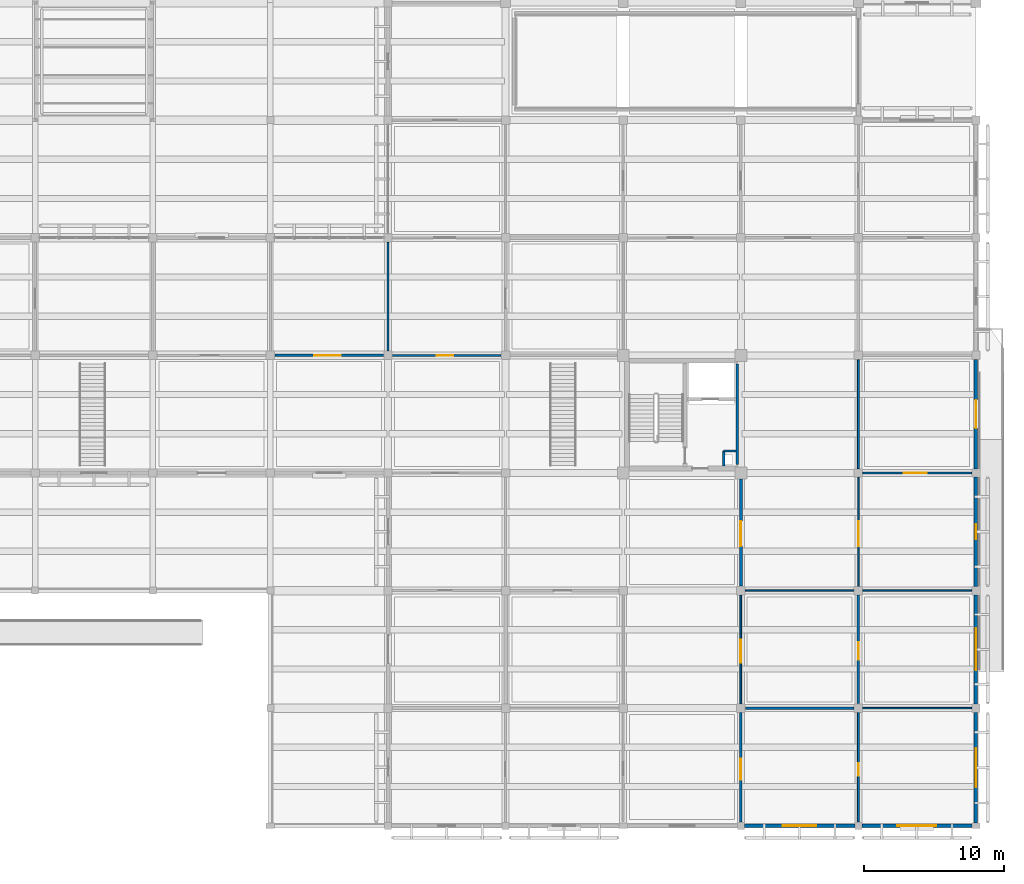
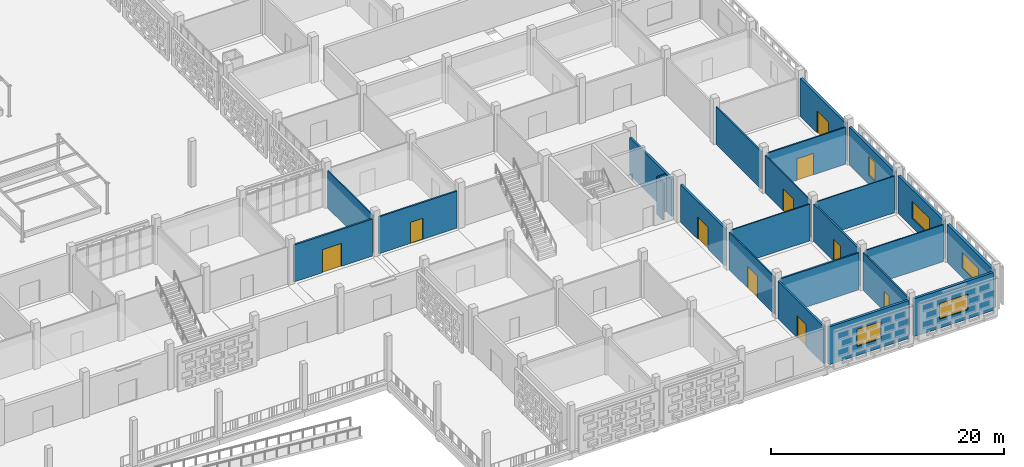
# One storey, part 69 of 129: 24 walls, 10 doors, 5 windows, 15 openings.
"""IFC4 building model written with IfcOpenShell, lengths in metres."""

import ifcopenshell
import ifcopenshell.guid

model = None  # the IFC model being written
_history = None  # IfcOwnerHistory: only IFC2X3 demands one
_inside = {}  # id of a spatial element -> (the spatial element, [elements in it])
_under = {}  # id of a project, library or spatial element -> (it, [spatial elements below it])
_declared = {}  # id of a project -> (the project, [libraries it declares])
_typed = {}  # id of a type object -> (the type object, [elements of that type])
_made_of = {}  # id of a material, layer set ... -> (it, [elements and type objects made of it])


def new_model(schema):
    """Start an empty IFC model of exactly this schema.

    Asked for "IFC4X3", IfcOpenShell would pick the latest addendum, in which some entities
    have other attributes; the version numbers below select the first issue.
    IFC2X3 requires an IfcOwnerHistory on every rooted entity: one is made here for all.
    """
    global model, _history
    if schema == "IFC4X3":
        model = ifcopenshell.file(schema_version=(4, 3, 0, 0))
    else:
        model = ifcopenshell.file(schema=schema)
    _inside.clear()
    _under.clear()
    _declared.clear()
    _typed.clear()
    _made_of.clear()
    _history = None
    if model.schema == "IFC2X3":
        org = make("IfcOrganization", Name="unknown")
        user = make(
            "IfcPersonAndOrganization",
            ThePerson=make("IfcPerson", FamilyName="unknown"),
            TheOrganization=org,
        )
        app = make(
            "IfcApplication",
            ApplicationDeveloper=org,
            Version="unknown",
            ApplicationFullName="unknown",
            ApplicationIdentifier="unknown",
        )
        _history = make(
            "IfcOwnerHistory",
            OwningUser=user,
            OwningApplication=app,
            ChangeAction="ADDED",
            CreationDate=0,
        )
    return model


def make(cls, **values):
    """One entity of the class cls with the attributes given. An attribute that is None is left unset."""
    return model.create_entity(
        cls, **{name: value for name, value in values.items() if value is not None}
    )


def rooted(cls, **values):
    """An entity with a GlobalId (a new one), such as an element, a storey or a relation."""
    return make(cls, GlobalId=ifcopenshell.guid.new(), OwnerHistory=_history, **values)


def si_unit(unit_type, name, prefix=None):
    """IfcSIUnit, for example si_unit("LENGTHUNIT", "METRE", prefix="MILLI")."""
    return make("IfcSIUnit", UnitType=unit_type, Prefix=prefix, Name=name)


def assignment(units):
    """IfcUnitAssignment: the units of a project."""
    return None if units is None else make("IfcUnitAssignment", Units=units)


def point(xyz):
    """IfcCartesianPoint."""
    return None if xyz is None else make("IfcCartesianPoint", Coordinates=xyz)


def direction(xyz):
    """IfcDirection."""
    return None if xyz is None else make("IfcDirection", DirectionRatios=xyz)


def frame(location, z_axis=None, x_axis=None):
    """IfcAxis2Placement3D, a coordinate frame: its origin and axes. An axis left out is left unset."""
    return make(
        "IfcAxis2Placement3D",
        Location=point(location),
        Axis=direction(z_axis),
        RefDirection=direction(x_axis),
    )


def frame_2d(location, x_axis=None):
    """IfcAxis2Placement2D, a coordinate frame in the plane: its origin and x axis."""
    return make(
        "IfcAxis2Placement2D", Location=point(location), RefDirection=direction(x_axis)
    )


def origin():
    """The frame at (0, 0, 0) with its axes left unset."""
    return frame((0.0, 0.0, 0.0))


def place(relative_to, where):
    """IfcLocalPlacement: puts the frame where relative to a parent placement (None: the world)."""
    return make(
        "IfcLocalPlacement", PlacementRelTo=relative_to, RelativePlacement=where
    )


def context(
    kind, dimensions, precision=None, world=None, true_north=None, identifier=None
):
    """IfcGeometricRepresentationContext, for example the 3D "Model" context."""
    return make(
        "IfcGeometricRepresentationContext",
        ContextIdentifier=identifier,
        ContextType=kind,
        CoordinateSpaceDimension=dimensions,
        Precision=precision,
        WorldCoordinateSystem=world,
        TrueNorth=true_north,
    )


def subcontext(parent, identifier, kind, view, scale=None):
    """IfcGeometricRepresentationSubContext, for example "Body" below "Model"."""
    return make(
        "IfcGeometricRepresentationSubContext",
        ContextIdentifier=identifier,
        ContextType=kind,
        ParentContext=parent,
        TargetScale=scale,
        TargetView=view,
    )


def project(units=None, contexts=None):
    """IfcProject with its units and contexts."""
    return rooted(
        "IfcProject",
        Name="project",
        RepresentationContexts=contexts,
        UnitsInContext=assignment(units),
    )


def spatial(cls, under=None, at=None, **own):
    """A site, building, storey or space (cls), placed at a placement, below another one or the project."""
    s = rooted(cls, ObjectPlacement=at, **own)
    if under is not None:
        _under.setdefault(under.id(), (under, []))[1].append(s)
    return s


def profile(cls, at=None, kind="AREA", **sizes):
    """A parametric profile (cls). Its sizes go by their IFC names, for example OverallWidth=200.0."""
    return make(cls, ProfileType=kind, Position=at, **sizes)


def rectangle(**sizes):
    """IfcRectangleProfileDef."""
    return profile("IfcRectangleProfileDef", **sizes)


def extrude(swept, where, along, depth):
    """IfcExtrudedAreaSolid: the profile swept, set in the frame where, extruded along a direction by depth."""
    return make(
        "IfcExtrudedAreaSolid",
        SweptArea=swept,
        Position=where,
        ExtrudedDirection=direction(along),
        Depth=depth,
    )


def shape(context_of_items, identifier, shape_type, items):
    """IfcShapeRepresentation: the items that make up one representation, for example the "Body"."""
    return make(
        "IfcShapeRepresentation",
        ContextOfItems=context_of_items,
        RepresentationIdentifier=identifier,
        RepresentationType=shape_type,
        Items=items,
    )


def material(Name=None, Category=None):
    """IfcMaterial."""
    return make("IfcMaterial", Name=Name, Category=Category)


def layer(
    of_material, thickness, ventilated=None, Name=None, Category=None, Priority=None
):
    """IfcMaterialLayer: one layer of a wall or slab, of a material (None: an air gap)."""
    return make(
        "IfcMaterialLayer",
        Material=of_material,
        LayerThickness=thickness,
        IsVentilated=ventilated,
        Name=Name,
        Category=Category,
        Priority=Priority,
    )


def layer_set(layers, Name=None):
    """IfcMaterialLayerSet."""
    return make("IfcMaterialLayerSet", MaterialLayers=layers, LayerSetName=Name)


def made_of(thing, what):
    """Note that an element or type object is made of a material, layer set ...; save() writes the relation."""
    if what is not None:
        _made_of.setdefault(what.id(), (what, []))[1].append(thing)
    return thing


def type_object(cls, material=None, **own):
    """A type object (cls), such as IfcWallType, which elements share."""
    return made_of(rooted(cls, **own), material)


def element(
    cls,
    number,
    at=None,
    inside=None,
    cuts=None,
    type_object=None,
    material=None,
    context=None,
    identifier="Body",
    shape_type=None,
    held_by="IfcProductDefinitionShape",
    body=None,
    shapes=None,
    **own,
):
    """One element of the class cls, such as IfcWall. Its Tag is "e" and its number.

    at: its placement. inside: the storey or other place that contains it. cuts: it is an
    opening in that element (IfcRelVoidsElement). A single representation is given by context,
    identifier, shape_type and body (its items); several are given by shapes. held_by: the class
    of the entity that holds the representations. save() writes the other relations.
    """
    e = rooted(cls, Tag="e%d" % number, ObjectPlacement=at, **own)
    if body is not None:
        shapes = [shape(context, identifier, shape_type, body)]
    if shapes is not None:
        e.Representation = make(held_by, Representations=shapes)
    if inside is not None:
        _inside.setdefault(inside.id(), (inside, []))[1].append(e)
    if cuts is not None:
        rooted(
            "IfcRelVoidsElement", RelatingBuildingElement=cuts, RelatedOpeningElement=e
        )
    if type_object is not None:
        _typed.setdefault(type_object.id(), (type_object, []))[1].append(e)
    return made_of(e, material)


def fill(opening, filler):
    """IfcRelFillsElement: the door or window that sits in an opening."""
    return rooted(
        "IfcRelFillsElement",
        RelatingOpeningElement=opening,
        RelatedBuildingElement=filler,
    )


def aggregate(whole, parts):
    """IfcRelAggregates: a whole, such as a stair, and the parts it consists of."""
    return rooted("IfcRelAggregates", RelatingObject=whole, RelatedObjects=parts)


def save(model, path):
    """Write the relations noted so far, then the file.

    IfcRelAggregates (storeys below a building ...), IfcRelContainedInSpatialStructure (elements
    in a storey), IfcRelDefinesByType, IfcRelAssociatesMaterial and IfcRelDeclares: one each for
    every whole, place, type object, material and project.
    """
    for whole, parts in _under.values():
        aggregate(whole, parts)
    for where, things in _inside.values():
        rooted(
            "IfcRelContainedInSpatialStructure",
            RelatedElements=things,
            RelatingStructure=where,
        )
    for kind, things in _typed.values():
        rooted("IfcRelDefinesByType", RelatedObjects=things, RelatingType=kind)
    for what, things in _made_of.values():
        rooted("IfcRelAssociatesMaterial", RelatedObjects=things, RelatingMaterial=what)
    for by, libraries in _declared.values():
        rooted("IfcRelDeclares", RelatingContext=by, RelatedDefinitions=libraries)
    model.write(path)


model = new_model("IFC4")

# Units and contexts
model_context = context("Model", 3, precision=1e-05, world=origin(), true_north=direction((0.0, 1.0)))
body_context = subcontext(model_context, "Body", "Model", "MODEL_VIEW")
ifc_project = project(units=[si_unit("LENGTHUNIT", "METRE"), si_unit("AREAUNIT", "SQUARE_METRE"), si_unit("VOLUMEUNIT", "CUBIC_METRE"), si_unit("PLANEANGLEUNIT", "RADIAN"), si_unit("MASSUNIT", "GRAM", prefix="KILO")], contexts=[model_context])

# Site, building, storey
site_placement = place(None, origin())
site = spatial("IfcSite", under=ifc_project, at=site_placement, CompositionType="ELEMENT")
building_placement = place(site_placement, origin())
building = spatial("IfcBuilding", under=site, at=building_placement, Name="Varnapada Polytechnic", CompositionType="ELEMENT")
storey_placement = place(building_placement, origin())
storey = spatial("IfcBuildingStorey", under=building, at=storey_placement, Name="L00", CompositionType="ELEMENT", Elevation=0.0)

# Walls
ifc_material_1 = material(Name="Autoclaved Aerated Concrete Block AAC-600", Category="concrete")
ifc_layer_1 = layer(ifc_material_1, 0.199951171875)
ifc_layer_set_1 = layer_set([ifc_layer_1], Name="Autoclaved Aerated Concrete Block AAC-600")
wall_type_1 = type_object("IfcWallType", Name="Interior Wall IW-01", PredefinedType="PARTITIONING", material=ifc_layer_set_1)
wall_1_placement = place(storey_placement, frame((159.340087890625, 33.0, 0.0), z_axis=(0.0, 0.0, 1.0), x_axis=(0.0, -1.0, 0.0)))
element("IfcWall", 1, at=wall_1_placement, inside=storey, type_object=wall_type_1, Name="L00 C6 firefighting lobby east wall", PredefinedType="PARTITIONING", context=body_context, shape_type="SweptSolid", body=[
    extrude(rectangle(XDim=7.199951171875, YDim=0.199951171875, at=frame_2d((3.60009765625, 0.0))), origin(), (0.0, 0.0, 1.0), 3.919921875),
])
ifc_layer_2 = layer(ifc_material_1, 0.14990234375)
ifc_layer_set_2 = layer_set([ifc_layer_2], Name="Autoclaved Aerated Concrete Block AAC-600")
wall_type_2 = type_object("IfcWallType", Name="Interior Wall IW-02", PredefinedType="PARTITIONING", material=ifc_layer_set_2)
wall_2_placement = place(storey_placement, frame((158.3798828125, 26.760009765625, 0.0), z_axis=(0.0, 0.0, 1.0), x_axis=(0.0, -1.0, 0.0)))
element("IfcWall", 2, at=wall_2_placement, inside=storey, type_object=wall_type_2, Name="L00 C6 riser shaft west wall", PredefinedType="PARTITIONING", context=body_context, shape_type="SweptSolid", body=[
    extrude(rectangle(XDim=1.06005859375, YDim=0.14990234375, at=frame_2d((0.530029296875, 0.0))), origin(), (0.0, 0.0, 1.0), 3.919921875),
])
wall_3_placement = place(storey_placement, frame((158.3798828125, 26.760009765625, 0.0), z_axis=(0.0, 0.0, 1.0), x_axis=(1.0, 0.0, 0.0)))
element("IfcWall", 3, at=wall_3_placement, inside=storey, type_object=wall_type_2, Name="L00 C6 riser shaft north wall", PredefinedType="PARTITIONING", context=body_context, shape_type="SweptSolid", body=[
    extrude(rectangle(XDim=0.860107421875, YDim=0.14990234375, at=frame_2d((0.43017578125, 0.0))), origin(), (0.0, 0.0, 1.0), 3.919921875),
])

# Wall, opening, door
ifc_material_2 = material(Name="Moisture-Resistant Cement Board Partition")
ifc_layer_3 = layer(ifc_material_2, 0.139892578125)
ifc_layer_set_3 = layer_set([ifc_layer_3], Name="Moisture-Resistant Cement Board Partition")
wall_type_3 = type_object("IfcWallType", Name="Interior Wall IW-04", PredefinedType="PARTITIONING", material=ifc_layer_set_3)
wall_4_placement = place(storey_placement, frame((168.0, 0.27001953125, 0.0), z_axis=(0.0, 0.0, 1.0), x_axis=(0.0, 1.0, 0.0)))
wall_4 = element("IfcWall", 4, at=wall_4_placement, inside=storey, type_object=wall_type_3, Name="L00 interior partition IW-L00-19-00-V", PredefinedType="PARTITIONING", context=body_context, shape_type="SweptSolid", body=[
    extrude(rectangle(XDim=7.81005859375, YDim=0.139892578125, at=frame_2d((3.905029296875, 0.0))), origin(), (0.0, 0.0, 1.0), 3.919921875),
])
opening_1_placement = place(wall_4_placement, frame((3.300048828125, 0.0, 0.0)))
opening_1 = element("IfcOpeningElement", 5, at=opening_1_placement, cuts=wall_4, Name="Opening D-931", PredefinedType="OPENING", context=body_context, shape_type="SweptSolid", body=[
    extrude(rectangle(XDim=0.89990234375, YDim=2.10009765625, at=frame_2d((0.449951171875, 1.050048828125))), frame((0.0, 0.079833984375, 0.0), z_axis=(0.0, -1.0, 0.0), x_axis=(1.0, 0.0, 0.0)), (0.0, 0.0, 1.0), 0.159912109375),
])
ifc_material_3 = material(Name="Moisture-Resistant HPL Timber", Category="wood")
door_type_1 = type_object("IfcDoorType", Name="Interior Door ID-15", OperationType="NOTDEFINED", PredefinedType="DOOR", material=ifc_material_3)
door_1_placement = place(opening_1_placement, origin())
door_1 = element("IfcDoor", 6, at=door_1_placement, inside=storey, type_object=door_type_1, Name="L00 interior room door D-931", OperationType="SINGLE_SWING_RIGHT", OverallHeight=2.10009765625, OverallWidth=0.89990234375, PredefinedType="DOOR", context=body_context, shape_type="SweptSolid", body=[
    extrude(rectangle(XDim=0.89990234375, YDim=2.10009765625, at=frame_2d((0.449951171875, 1.050048828125))), frame((0.0, 0.02490234375, 0.0), z_axis=(0.0, -1.0, 0.0), x_axis=(1.0, 0.0, 0.0)), (0.0, 0.0, 1.0), 0.050048828125),
])
fill(opening_1, door_1)

ifc_material_4 = material(Name="Cross-laminated timber CLT C24", Category="wood")
ifc_layer_4 = layer(ifc_material_4, 0.159912109375)
ifc_layer_set_4 = layer_set([ifc_layer_4], Name="Cross-laminated timber CLT C24")
wall_type_4 = type_object("IfcWallType", Name="Interior Wall IW-05", PredefinedType="PARTITIONING", material=ifc_layer_set_4)
wall_5_placement = place(storey_placement, frame((134.719970703125, 33.60009765625, 0.0), z_axis=(0.0, 0.0, 1.0), x_axis=(1.0, 0.0, 0.0)))
wall_5 = element("IfcWall", 7, at=wall_5_placement, inside=storey, type_object=wall_type_4, Name="L00 interior partition IW-L00-16-03-H", PredefinedType="PARTITIONING", context=body_context, shape_type="SweptSolid", body=[
    extrude(rectangle(XDim=7.760009765625, YDim=0.159912109375, at=frame_2d((3.8798828125, 0.0))), origin(), (0.0, 0.0, 1.0), 3.8701171875),
])
opening_2_placement = place(wall_5_placement, frame((3.14990234375, 0.0, 0.0)))
opening_2 = element("IfcOpeningElement", 8, at=opening_2_placement, cuts=wall_5, Name="Opening D-904", PredefinedType="OPENING", context=body_context, shape_type="SweptSolid", body=[
    extrude(rectangle(XDim=1.199951171875, YDim=2.199951171875, at=frame_2d((0.60009765625, 1.10009765625))), frame((0.0, 0.08984375, 0.0), z_axis=(0.0, -1.0, 0.0), x_axis=(1.0, 0.0, 0.0)), (0.0, 0.0, 1.0), 0.179931640625),
])
ifc_material_5 = material(Name="Solid Teak Hardwood Timber", Category="wood")
door_type_2 = type_object("IfcDoorType", Name="Interior Door ID-05", OperationType="NOTDEFINED", PredefinedType="DOOR", material=ifc_material_5)
door_2_placement = place(opening_2_placement, origin())
door_2 = element("IfcDoor", 9, at=door_2_placement, inside=storey, type_object=door_type_2, Name="L00 interior room door D-904", OperationType="SINGLE_SWING_LEFT", OverallHeight=2.199951171875, OverallWidth=1.199951171875, PredefinedType="DOOR", context=body_context, shape_type="SweptSolid", body=[
    extrude(rectangle(XDim=1.199951171875, YDim=2.199951171875, at=frame_2d((0.60009765625, 1.10009765625))), frame((0.0, 0.02490234375, 0.0), z_axis=(0.0, -1.0, 0.0), x_axis=(1.0, 0.0, 0.0)), (0.0, 0.0, 1.0), 0.050048828125),
])
fill(opening_2, door_2)

# Wall
wall_6_placement = place(storey_placement, frame((159.919921875, 8.39990234375, 0.0), z_axis=(0.0, 0.0, 1.0), x_axis=(1.0, 0.0, 0.0)))
element("IfcWall", 10, at=wall_6_placement, inside=storey, type_object=wall_type_4, Name="L00 interior partition IW-L00-19-00-H", PredefinedType="PARTITIONING", context=body_context, shape_type="SweptSolid", body=[
    extrude(rectangle(XDim=7.760009765625, YDim=0.159912109375, at=frame_2d((3.8798828125, 0.0))), origin(), (0.0, 0.0, 1.0), 3.85009765625),
])

# Wall, opening, door
ifc_material_6 = material(Name="Acoustic Double-Stud Studio Partition")
ifc_layer_5 = layer(ifc_material_6, 0.179931640625)
ifc_layer_set_5 = layer_set([ifc_layer_5], Name="Acoustic Double-Stud Studio Partition")
wall_type_5 = type_object("IfcWallType", Name="Interior Wall IW-06", PredefinedType="PARTITIONING", material=ifc_layer_set_5)
wall_7_placement = place(storey_placement, frame((126.320068359375, 33.60009765625, 0.0), z_axis=(0.0, 0.0, 1.0), x_axis=(1.0, 0.0, 0.0)))
wall_7 = element("IfcWall", 11, at=wall_7_placement, inside=storey, type_object=wall_type_5, Name="L00 interior partition IW-L00-15-03-H", PredefinedType="PARTITIONING", context=body_context, shape_type="SweptSolid", body=[
    extrude(rectangle(XDim=7.760009765625, YDim=0.179931640625, at=frame_2d((3.8798828125, 0.0))), origin(), (0.0, 0.0, 1.0), 3.8701171875),
])
opening_3_placement = place(wall_7_placement, frame((2.800048828125, 0.0, 0.0)))
opening_3 = element("IfcOpeningElement", 12, at=opening_3_placement, cuts=wall_7, Name="Opening D-896", PredefinedType="OPENING", context=body_context, shape_type="SweptSolid", body=[
    extrude(rectangle(XDim=1.89990234375, YDim=2.39990234375, at=frame_2d((0.949951171875, 1.199951171875))), frame((0.0, 0.099853515625, 0.0), z_axis=(0.0, -1.0, 0.0), x_axis=(1.0, 0.0, 0.0)), (0.0, 0.0, 1.0), 0.199951171875),
])
ifc_material_7 = material(Name="Heavy Workshop Double Steel Door", Category="steel")
door_type_3 = type_object("IfcDoorType", Name="Interior Door ID-14", OperationType="NOTDEFINED", PredefinedType="DOOR", material=ifc_material_7)
door_3_placement = place(opening_3_placement, frame((1.89990234375, 0.0, 0.0), z_axis=(0.0, 0.0, 1.0), x_axis=(-1.0, 0.0, 0.0)))
door_3 = element("IfcDoor", 13, at=door_3_placement, inside=storey, type_object=door_type_3, Name="L00 interior room door D-896", OperationType="SINGLE_SWING_LEFT", OverallHeight=2.39990234375, OverallWidth=1.89990234375, PredefinedType="DOOR", context=body_context, shape_type="SweptSolid", body=[
    extrude(rectangle(XDim=1.89990234375, YDim=2.39990234375, at=frame_2d((0.949951171875, 1.199951171875))), frame((0.0, 0.02490234375, 0.0), z_axis=(0.0, -1.0, 0.0), x_axis=(1.0, 0.0, 0.0)), (0.0, 0.0, 1.0), 0.050048828125),
])
fill(opening_3, door_3)

wall_8_placement = place(storey_placement, frame((168.0, 8.719970703125, 0.0), z_axis=(0.0, 0.0, 1.0), x_axis=(0.0, 1.0, 0.0)))
wall_8 = element("IfcWall", 14, at=wall_8_placement, inside=storey, type_object=wall_type_5, Name="L00 interior partition IW-L00-19-01-V", PredefinedType="PARTITIONING", context=body_context, shape_type="SweptSolid", body=[
    extrude(rectangle(XDim=7.760009765625, YDim=0.179931640625, at=frame_2d((3.8798828125, 0.0))), origin(), (0.0, 0.0, 1.0), 3.919921875),
])
opening_4_placement = place(wall_8_placement, frame((3.125, 0.0, 0.0)))
opening_4 = element("IfcOpeningElement", 15, at=opening_4_placement, cuts=wall_8, Name="Opening D-932", PredefinedType="OPENING", context=body_context, shape_type="SweptSolid", body=[
    extrude(rectangle(XDim=1.25, YDim=2.300048828125, at=frame_2d((0.625, 1.14990234375))), frame((0.0, 0.099853515625, 0.0), z_axis=(0.0, -1.0, 0.0), x_axis=(1.0, 0.0, 0.0)), (0.0, 0.0, 1.0), 0.199951171875),
])
door_type_4 = type_object("IfcDoorType", Name="Interior Door ID-16", OperationType="NOTDEFINED", PredefinedType="DOOR", material=ifc_material_5)
door_4_placement = place(opening_4_placement, frame((1.25, 0.0, 0.0), z_axis=(0.0, 0.0, 1.0), x_axis=(-1.0, 0.0, 0.0)))
door_4 = element("IfcDoor", 16, at=door_4_placement, inside=storey, type_object=door_type_4, Name="L00 interior room door D-932", OperationType="SINGLE_SWING_LEFT", OverallHeight=2.300048828125, OverallWidth=1.25, PredefinedType="DOOR", context=body_context, shape_type="SweptSolid", body=[
    extrude(rectangle(XDim=1.25, YDim=2.300048828125, at=frame_2d((0.625, 1.14990234375))), frame((0.0, 0.02490234375, 0.0), z_axis=(0.0, -1.0, 0.0), x_axis=(1.0, 0.0, 0.0)), (0.0, 0.0, 1.0), 0.050048828125),
])
fill(opening_4, door_4)

# Walls
ifc_material_8 = material(Name="Glazed Timber-Framed Studio Screen", Category="wood")
ifc_layer_6 = layer(ifc_material_8, 0.110107421875)
ifc_layer_set_6 = layer_set([ifc_layer_6], Name="Glazed Timber-Framed Studio Screen")
wall_type_6 = type_object("IfcWallType", Name="Interior Wall IW-07", PredefinedType="PARTITIONING", material=ifc_layer_set_6)
wall_9_placement = place(storey_placement, frame((134.39990234375, 33.919921875, 0.0), z_axis=(0.0, 0.0, 1.0), x_axis=(0.0, 1.0, 0.0)))
element("IfcWall", 17, at=wall_9_placement, inside=storey, type_object=wall_type_6, Name="L00 interior partition IW-L00-15-04-V", PredefinedType="PARTITIONING", context=body_context, shape_type="SweptSolid", body=[
    extrude(rectangle(XDim=7.760009765625, YDim=0.110107421875, at=frame_2d((3.8798828125, 0.0))), origin(), (0.0, 0.0, 1.0), 3.919921875),
])
for number, where, z_axis, x_axis, name in (
    (18, (159.919921875, 16.800048828125, 0.0), (0.0, 0.0, 1.0), (1.0, 0.0, 0.0), "L00 interior partition IW-L00-19-01-H"),
    (19, (168.320068359375, 8.39990234375, 0.0), (0.0, 0.0, 1.0), (1.0, 0.0, 0.0), "L00 interior partition IW-L00-20-00-H"),
):
    element("IfcWall", number, at=place(storey_placement, frame(where, z_axis=z_axis, x_axis=x_axis)), inside=storey, type_object=wall_type_6, Name=name, PredefinedType="PARTITIONING", context=body_context, shape_type="SweptSolid", body=[
        extrude(rectangle(XDim=7.760009765625, YDim=0.110107421875, at=frame_2d((3.8798828125, 0.0))), origin(), (0.0, 0.0, 1.0), 3.85009765625),
    ])

# Wall, opening, door
ifc_material_9 = material(Name="Operable Acoustic Seminar Partition")
ifc_layer_7 = layer(ifc_material_9, 0.10009765625)
ifc_layer_set_7 = layer_set([ifc_layer_7], Name="Operable Acoustic Seminar Partition")
wall_type_7 = type_object("IfcWallType", Name="Interior Wall IW-08", PredefinedType="MOVABLE", material=ifc_layer_set_7)
wall_10_placement = place(storey_placement, frame((168.0, 17.1201171875, 0.0), z_axis=(0.0, 0.0, 1.0), x_axis=(0.0, 1.0, 0.0)))
wall_10 = element("IfcWall", 20, at=wall_10_placement, inside=storey, type_object=wall_type_7, Name="L00 interior partition IW-L00-19-02-V", PredefinedType="MOVABLE", context=body_context, shape_type="SweptSolid", body=[
    extrude(rectangle(XDim=7.759765625, YDim=0.10009765625, at=frame_2d((3.8798828125, 0.0))), origin(), (0.0, 0.0, 1.0), 3.919921875),
])
opening_5_placement = place(wall_10_placement, frame((2.85009765625, 0.0, 0.0)))
opening_5 = element("IfcOpeningElement", 21, at=opening_5_placement, cuts=wall_10, Name="Opening D-933", PredefinedType="OPENING", context=body_context, shape_type="SweptSolid", body=[
    extrude(rectangle(XDim=1.800048828125, YDim=2.300048828125, at=frame_2d((0.89990234375, 1.14990234375))), frame((0.0, 0.06005859375, 0.0), z_axis=(0.0, -1.0, 0.0), x_axis=(1.0, 0.0, 0.0)), (0.0, 0.0, 1.0), 0.1201171875),
])
ifc_material_10 = material(Name="Acoustic Double Timber Leaf", Category="wood")
door_type_5 = type_object("IfcDoorType", Name="Interior Door ID-04", OperationType="NOTDEFINED", PredefinedType="DOOR", material=ifc_material_10)
door_5_placement = place(opening_5_placement, origin())
door_5 = element("IfcDoor", 22, at=door_5_placement, inside=storey, type_object=door_type_5, Name="L00 interior room door D-933", OperationType="SINGLE_SWING_RIGHT", OverallHeight=2.300048828125, OverallWidth=1.800048828125, PredefinedType="DOOR", context=body_context, shape_type="SweptSolid", body=[
    extrude(rectangle(XDim=1.800048828125, YDim=2.300048828125, at=frame_2d((0.89990234375, 1.14990234375))), frame((0.0, 0.02490234375, 0.0), z_axis=(0.0, -1.0, 0.0), x_axis=(1.0, 0.0, 0.0)), (0.0, 0.0, 1.0), 0.050048828125),
])
fill(opening_5, door_5)

# Walls
wall_11_placement = place(storey_placement, frame((168.320068359375, 16.800048828125, 0.0), z_axis=(0.0, 0.0, 1.0), x_axis=(1.0, 0.0, 0.0)))
element("IfcWall", 23, at=wall_11_placement, inside=storey, type_object=wall_type_7, Name="L00 interior partition IW-L00-20-01-H", PredefinedType="MOVABLE", context=body_context, shape_type="SweptSolid", body=[
    extrude(rectangle(XDim=7.760009765625, YDim=0.10009765625, at=frame_2d((3.8798828125, 0.0))), origin(), (0.0, 0.0, 1.0), 3.85009765625),
])
ifc_material_11 = material(Name="Calcium Silicate Acoustic Lab Partition")
ifc_layer_8 = layer(ifc_material_11, 0.135009765625)
ifc_layer_set_8 = layer_set([ifc_layer_8], Name="Calcium Silicate Acoustic Lab Partition")
wall_type_8 = type_object("IfcWallType", Name="Interior Wall IW-09", PredefinedType="PARTITIONING", material=ifc_layer_set_8)
wall_12_placement = place(storey_placement, frame((168.0, 25.52001953125, 0.0), z_axis=(0.0, 0.0, 1.0), x_axis=(0.0, 1.0, 0.0)))
element("IfcWall", 24, at=wall_12_placement, inside=storey, type_object=wall_type_8, Name="L00 interior partition IW-L00-19-03-V", PredefinedType="PARTITIONING", context=body_context, shape_type="SweptSolid", body=[
    extrude(rectangle(XDim=7.760009765625, YDim=0.135009765625, at=frame_2d((3.8798828125, 0.0))), origin(), (0.0, 0.0, 1.0), 3.919921875),
])

# Wall, opening, door
wall_13_placement = place(storey_placement, frame((168.320068359375, 25.199951171875, 0.0), z_axis=(0.0, 0.0, 1.0), x_axis=(1.0, 0.0, 0.0)))
wall_13 = element("IfcWall", 25, at=wall_13_placement, inside=storey, type_object=wall_type_8, Name="L00 interior partition IW-L00-20-02-H", PredefinedType="PARTITIONING", context=body_context, shape_type="SweptSolid", body=[
    extrude(rectangle(XDim=7.760009765625, YDim=0.135009765625, at=frame_2d((3.8798828125, 0.0))), origin(), (0.0, 0.0, 1.0), 3.85009765625),
])
opening_6_placement = place(wall_13_placement, frame((2.925048828125, 0.0, 0.0)))
opening_6 = element("IfcOpeningElement", 26, at=opening_6_placement, cuts=wall_13, Name="Opening D-941", PredefinedType="OPENING", context=body_context, shape_type="SweptSolid", body=[
    extrude(rectangle(XDim=1.64990234375, YDim=2.25, at=frame_2d((0.824951171875, 1.125))), frame((0.0, 0.077392578125, 0.0), z_axis=(0.0, -1.0, 0.0), x_axis=(1.0, 0.0, 0.0)), (0.0, 0.0, 1.0), 0.155029296875),
])
door_type_6 = type_object("IfcDoorType", Name="Interior Door ID-08", OperationType="NOTDEFINED", PredefinedType="DOOR", material=ifc_material_5)
door_6_placement = place(opening_6_placement, frame((1.64990234375, 0.0, 0.0), z_axis=(0.0, 0.0, 1.0), x_axis=(-1.0, 0.0, 0.0)))
door_6 = element("IfcDoor", 27, at=door_6_placement, inside=storey, type_object=door_type_6, Name="L00 interior room door D-941", OperationType="SINGLE_SWING_RIGHT", OverallHeight=2.25, OverallWidth=1.64990234375, PredefinedType="DOOR", context=body_context, shape_type="SweptSolid", body=[
    extrude(rectangle(XDim=1.64990234375, YDim=2.25, at=frame_2d((0.824951171875, 1.125))), frame((0.0, 0.02490234375, 0.0), z_axis=(0.0, -1.0, 0.0), x_axis=(1.0, 0.0, 0.0)), (0.0, 0.0, 1.0), 0.050048828125),
])
fill(opening_6, door_6)

ifc_material_12 = material(Name="Insulated Masonry Plant Room Wall", Category="masonry")
ifc_layer_9 = layer(ifc_material_12, 0.18994140625)
ifc_layer_set_9 = layer_set([ifc_layer_9], Name="Insulated Masonry Plant Room Wall")
wall_type_9 = type_object("IfcWallType", Name="Interior Wall IW-11", PredefinedType="PARTITIONING", material=ifc_layer_set_9)
wall_14_placement = place(storey_placement, frame((159.60009765625, 0.27001953125, 0.0), z_axis=(0.0, 0.0, 1.0), x_axis=(0.0, 1.0, 0.0)))
wall_14 = element("IfcWall", 28, at=wall_14_placement, inside=storey, type_object=wall_type_9, Name="L00 interior partition IW-L00-18-00-V", PredefinedType="PARTITIONING", context=body_context, shape_type="SweptSolid", body=[
    extrude(rectangle(XDim=7.81005859375, YDim=0.18994140625, at=frame_2d((3.905029296875, 0.0))), origin(), (0.0, 0.0, 1.0), 3.919921875),
])
opening_7_placement = place(wall_14_placement, frame((3.0, 0.0, 0.0)))
opening_7 = element("IfcOpeningElement", 29, at=opening_7_placement, cuts=wall_14, Name="Opening D-923", PredefinedType="OPENING", context=body_context, shape_type="SweptSolid", body=[
    extrude(rectangle(XDim=1.5, YDim=2.300048828125, at=frame_2d((0.75, 1.14990234375))), frame((0.0, 0.10498046875, 0.0), z_axis=(0.0, -1.0, 0.0), x_axis=(1.0, 0.0, 0.0)), (0.0, 0.0, 1.0), 0.2099609375),
])
ifc_material_13 = material(Name="Galvanized Steel Z275", Category="steel")
door_type_7 = type_object("IfcDoorType", Name="Interior Door ID-07", OperationType="NOTDEFINED", PredefinedType="DOOR", material=ifc_material_13)
door_7_placement = place(opening_7_placement, frame((1.5, 0.0, 0.0), z_axis=(0.0, 0.0, 1.0), x_axis=(-1.0, 0.0, 0.0)))
door_7 = element("IfcDoor", 30, at=door_7_placement, inside=storey, type_object=door_type_7, Name="L00 interior room door D-923", OperationType="SINGLE_SWING_RIGHT", OverallHeight=2.300048828125, OverallWidth=1.5, PredefinedType="DOOR", context=body_context, shape_type="SweptSolid", body=[
    extrude(rectangle(XDim=1.5, YDim=2.300048828125, at=frame_2d((0.75, 1.14990234375))), frame((0.0, 0.02490234375, 0.0), z_axis=(0.0, -1.0, 0.0), x_axis=(1.0, 0.0, 0.0)), (0.0, 0.0, 1.0), 0.050048828125),
])
fill(opening_7, door_7)

ifc_material_14 = material(Name="Timber-Stud Studio Critique Partition", Category="wood")
ifc_layer_10 = layer(ifc_material_14, 0.114990234375)
ifc_layer_set_10 = layer_set([ifc_layer_10], Name="Timber-Stud Studio Critique Partition")
wall_type_10 = type_object("IfcWallType", Name="Interior Wall IW-12", PredefinedType="PARTITIONING", material=ifc_layer_set_10)
wall_15_placement = place(storey_placement, frame((159.60009765625, 8.719970703125, 0.0), z_axis=(0.0, 0.0, 1.0), x_axis=(0.0, 1.0, 0.0)))
wall_15 = element("IfcWall", 31, at=wall_15_placement, inside=storey, type_object=wall_type_10, Name="L00 interior partition IW-L00-18-01-V", PredefinedType="PARTITIONING", context=body_context, shape_type="SweptSolid", body=[
    extrude(rectangle(XDim=7.760009765625, YDim=0.114990234375, at=frame_2d((3.8798828125, 0.0))), origin(), (0.0, 0.0, 1.0), 3.919921875),
])
opening_8_placement = place(wall_15_placement, frame((2.925048828125, 0.0, 0.0)))
opening_8 = element("IfcOpeningElement", 32, at=opening_8_placement, cuts=wall_15, Name="Opening D-924", PredefinedType="OPENING", context=body_context, shape_type="SweptSolid", body=[
    extrude(rectangle(XDim=1.64990234375, YDim=2.25, at=frame_2d((0.824951171875, 1.125))), frame((0.0, 0.0673828125, 0.0), z_axis=(0.0, -1.0, 0.0), x_axis=(1.0, 0.0, 0.0)), (0.0, 0.0, 1.0), 0.135009765625),
])
door_8_placement = place(opening_8_placement, origin())
door_8 = element("IfcDoor", 33, at=door_8_placement, inside=storey, type_object=door_type_6, Name="L00 interior room door D-924", OperationType="SINGLE_SWING_LEFT", OverallHeight=2.25, OverallWidth=1.64990234375, PredefinedType="DOOR", context=body_context, shape_type="SweptSolid", body=[
    extrude(rectangle(XDim=1.64990234375, YDim=2.25, at=frame_2d((0.824951171875, 1.125))), frame((0.0, 0.02490234375, 0.0), z_axis=(0.0, -1.0, 0.0), x_axis=(1.0, 0.0, 0.0)), (0.0, 0.0, 1.0), 0.050048828125),
])
fill(opening_8, door_8)

ifc_material_15 = material(Name="Heavy Acoustic Auditorium Baffle Wall")
ifc_layer_11 = layer(ifc_material_15, 0.219970703125)
ifc_layer_set_11 = layer_set([ifc_layer_11], Name="Heavy Acoustic Auditorium Baffle Wall")
wall_type_11 = type_object("IfcWallType", Name="Interior Wall IW-13", PredefinedType="PARTITIONING", material=ifc_layer_set_11)
wall_16_placement = place(storey_placement, frame((159.60009765625, 17.1201171875, 0.0), z_axis=(0.0, 0.0, 1.0), x_axis=(0.0, 1.0, 0.0)))
wall_16 = element("IfcWall", 34, at=wall_16_placement, inside=storey, type_object=wall_type_11, Name="L00 interior partition IW-L00-18-02-V", PredefinedType="PARTITIONING", context=body_context, shape_type="SweptSolid", body=[
    extrude(rectangle(XDim=7.634765625, YDim=0.219970703125, at=frame_2d((3.8173828125, 0.0))), origin(), (0.0, 0.0, 1.0), 3.919921875),
])
opening_9_placement = place(wall_16_placement, frame((2.85009765625, 0.0, 0.0)))
opening_9 = element("IfcOpeningElement", 35, at=opening_9_placement, cuts=wall_16, Name="Opening D-925", PredefinedType="OPENING", context=body_context, shape_type="SweptSolid", body=[
    extrude(rectangle(XDim=1.800048828125, YDim=2.300048828125, at=frame_2d((0.89990234375, 1.14990234375))), frame((0.0, 0.119873046875, 0.0), z_axis=(0.0, -1.0, 0.0), x_axis=(1.0, 0.0, 0.0)), (0.0, 0.0, 1.0), 0.239990234375),
])
door_9_placement = place(opening_9_placement, origin())
door_9 = element("IfcDoor", 36, at=door_9_placement, inside=storey, type_object=door_type_5, Name="L00 interior room door D-925", OperationType="SINGLE_SWING_RIGHT", OverallHeight=2.300048828125, OverallWidth=1.800048828125, PredefinedType="DOOR", context=body_context, shape_type="SweptSolid", body=[
    extrude(rectangle(XDim=1.800048828125, YDim=2.300048828125, at=frame_2d((0.89990234375, 1.14990234375))), frame((0.0, 0.02490234375, 0.0), z_axis=(0.0, -1.0, 0.0), x_axis=(1.0, 0.0, 0.0)), (0.0, 0.0, 1.0), 0.050048828125),
])
fill(opening_9, door_9)

# Wall, opening, window
ifc_material_16 = material(Name="Precast concrete C40/50", Category="concrete")
ifc_layer_12 = layer(ifc_material_16, 0.25)
ifc_layer_set_12 = layer_set([ifc_layer_12], Name="Precast concrete C40/50")
wall_type_12 = type_object("IfcWallType", Name="Wall EW-05", PredefinedType="SOLIDWALL", material=ifc_layer_set_12)
wall_17_placement = place(storey_placement, frame((167.75, 0.0, 0.0), z_axis=(0.0, 0.0, 1.0), x_axis=(-1.0, 0.0, 0.0)))
wall_17 = element("IfcWall", 37, at=wall_17_placement, inside=storey, type_object=wall_type_12, Name="L00 exterior wall EW-05 (95)", PredefinedType="SOLIDWALL", context=body_context, shape_type="SweptSolid", body=[
    extrude(rectangle(XDim=7.89990234375, YDim=0.25, at=frame_2d((3.949951171875, 0.0))), origin(), (0.0, 0.0, 1.0), 3.9599609375),
])
opening_10_placement = place(wall_17_placement, frame((2.75, 0.0, 0.949951171875)))
opening_10 = element("IfcOpeningElement", 38, at=opening_10_placement, cuts=wall_17, Name="Opening WN-02", PredefinedType="OPENING", context=body_context, shape_type="SweptSolid", body=[
    extrude(rectangle(XDim=2.39990234375, YDim=1.800048828125, at=frame_2d((1.199951171875, 0.89990234375))), frame((0.0, 0.135009765625, 0.0), z_axis=(0.0, -1.0, 0.0), x_axis=(1.0, 0.0, 0.0)), (0.0, 0.0, 1.0), 0.27001953125),
])
ifc_material_17 = material(Name="Double low-E laminated glass", Category="glass")
window_type_1 = type_object("IfcWindowType", Name="Window WN-02", PartitioningType="SINGLE_PANEL", PredefinedType="WINDOW", material=ifc_material_17)
window_1_placement = place(opening_10_placement, origin())
window_1 = element("IfcWindow", 39, at=window_1_placement, inside=storey, type_object=window_type_1, Name="L00 window WN-02 (49)", OverallHeight=1.800048828125, OverallWidth=2.39990234375, PartitioningType="SINGLE_PANEL", PredefinedType="WINDOW", context=body_context, shape_type="SweptSolid", body=[
    extrude(rectangle(XDim=2.39990234375, YDim=1.800048828125, at=frame_2d((1.199951171875, 0.89990234375))), frame((0.0, 0.030029296875, 0.0), z_axis=(0.0, -1.0, 0.0), x_axis=(1.0, 0.0, 0.0)), (0.0, 0.0, 1.0), 0.06005859375),
])
fill(opening_10, window_1)

wall_18_placement = place(storey_placement, frame((176.10009765625, 0.0, 0.0), z_axis=(0.0, 0.0, 1.0), x_axis=(-1.0, 0.0, 0.0)))
wall_18 = element("IfcWall", 40, at=wall_18_placement, inside=storey, type_object=wall_type_12, Name="L00 exterior wall EW-05 (97)", PredefinedType="SOLIDWALL", context=body_context, shape_type="SweptSolid", body=[
    extrude(rectangle(XDim=7.85009765625, YDim=0.25, at=frame_2d((3.925048828125, 0.0))), origin(), (0.0, 0.0, 1.0), 3.9599609375),
])
opening_11_placement = place(wall_18_placement, frame((2.52490234375, 0.0, 0.949951171875)))
opening_11 = element("IfcOpeningElement", 41, at=opening_11_placement, cuts=wall_18, Name="Opening WN-13", PredefinedType="OPENING", context=body_context, shape_type="SweptSolid", body=[
    extrude(rectangle(XDim=2.800048828125, YDim=1.64990234375, at=frame_2d((1.39990234375, 0.824951171875))), frame((0.0, 0.135009765625, 0.0), z_axis=(0.0, -1.0, 0.0), x_axis=(1.0, 0.0, 0.0)), (0.0, 0.0, 1.0), 0.27001953125),
])
window_type_2 = type_object("IfcWindowType", Name="Window WN-13", PartitioningType="SINGLE_PANEL", PredefinedType="WINDOW", material=ifc_material_17)
window_2_placement = place(opening_11_placement, origin())
window_2 = element("IfcWindow", 42, at=window_2_placement, inside=storey, type_object=window_type_2, Name="L00 window WN-13 (51)", OverallHeight=1.64990234375, OverallWidth=2.800048828125, PartitioningType="SINGLE_PANEL", PredefinedType="WINDOW", context=body_context, shape_type="SweptSolid", body=[
    extrude(rectangle(XDim=2.800048828125, YDim=1.64990234375, at=frame_2d((1.39990234375, 0.824951171875))), frame((0.0, 0.030029296875, 0.0), z_axis=(0.0, -1.0, 0.0), x_axis=(1.0, 0.0, 0.0)), (0.0, 0.0, 1.0), 0.06005859375),
])
fill(opening_11, window_2)

wall_19_placement = place(storey_placement, frame((176.39990234375, 8.10009765625, 0.0), z_axis=(0.0, 0.0, 1.0), x_axis=(0.0, -1.0, 0.0)))
wall_19 = element("IfcWall", 43, at=wall_19_placement, inside=storey, type_object=wall_type_12, Name="L00 exterior wall EW-05 (98)", PredefinedType="SOLIDWALL", context=body_context, shape_type="SweptSolid", body=[
    extrude(rectangle(XDim=7.900146484375, YDim=0.25, at=frame_2d((3.9501953125, 0.0))), origin(), (0.0, 0.0, 1.0), 3.9599609375),
])
opening_12_placement = place(wall_19_placement, frame((2.550048828125, 0.0, 0.949951171875)))
opening_12 = element("IfcOpeningElement", 44, at=opening_12_placement, cuts=wall_19, Name="Opening WN-13", PredefinedType="OPENING", context=body_context, shape_type="SweptSolid", body=[
    extrude(rectangle(XDim=2.800048828125, YDim=1.64990234375, at=frame_2d((1.39990234375, 0.824951171875))), frame((0.0, 0.135009765625, 0.0), z_axis=(0.0, -1.0, 0.0), x_axis=(1.0, 0.0, 0.0)), (0.0, 0.0, 1.0), 0.27001953125),
])
window_3_placement = place(opening_12_placement, origin())
window_3 = element("IfcWindow", 45, at=window_3_placement, inside=storey, type_object=window_type_2, Name="L00 window WN-13 (52)", OverallHeight=1.64990234375, OverallWidth=2.800048828125, PartitioningType="SINGLE_PANEL", PredefinedType="WINDOW", context=body_context, shape_type="SweptSolid", body=[
    extrude(rectangle(XDim=2.800048828125, YDim=1.64990234375, at=frame_2d((1.39990234375, 0.824951171875))), frame((0.0, 0.030029296875, 0.0), z_axis=(0.0, -1.0, 0.0), x_axis=(1.0, 0.0, 0.0)), (0.0, 0.0, 1.0), 0.06005859375),
])
fill(opening_12, window_3)

wall_20_placement = place(storey_placement, frame((176.39990234375, 16.5, 0.0), z_axis=(0.0, 0.0, 1.0), x_axis=(0.0, -1.0, 0.0)))
wall_20 = element("IfcWall", 46, at=wall_20_placement, inside=storey, type_object=wall_type_12, Name="L00 exterior wall EW-05 (99)", PredefinedType="SOLIDWALL", context=body_context, shape_type="SweptSolid", body=[
    extrude(rectangle(XDim=7.800048828125, YDim=0.25, at=frame_2d((3.89990234375, 0.0))), origin(), (0.0, 0.0, 1.0), 3.9599609375),
])
opening_13_placement = place(wall_20_placement, frame((2.39990234375, 0.0, 0.949951171875)))
opening_13 = element("IfcOpeningElement", 47, at=opening_13_placement, cuts=wall_20, Name="Opening WN-14", PredefinedType="OPENING", context=body_context, shape_type="SweptSolid", body=[
    extrude(rectangle(XDim=3.0, YDim=1.800048828125, at=frame_2d((1.5, 0.89990234375))), frame((0.0, 0.135009765625, 0.0), z_axis=(0.0, -1.0, 0.0), x_axis=(1.0, 0.0, 0.0)), (0.0, 0.0, 1.0), 0.27001953125),
])
window_type_3 = type_object("IfcWindowType", Name="Window WN-14", PartitioningType="SINGLE_PANEL", PredefinedType="WINDOW", material=ifc_material_17)
window_4_placement = place(opening_13_placement, origin())
window_4 = element("IfcWindow", 48, at=window_4_placement, inside=storey, type_object=window_type_3, Name="L00 window WN-14 (53)", OverallHeight=1.800048828125, OverallWidth=3.0, PartitioningType="SINGLE_PANEL", PredefinedType="WINDOW", context=body_context, shape_type="SweptSolid", body=[
    extrude(rectangle(XDim=3.0, YDim=1.800048828125, at=frame_2d((1.5, 0.89990234375))), frame((0.0, 0.030029296875, 0.0), z_axis=(0.0, -1.0, 0.0), x_axis=(1.0, 0.0, 0.0)), (0.0, 0.0, 1.0), 0.06005859375),
])
fill(opening_13, window_4)

wall_21_placement = place(storey_placement, frame((176.39990234375, 24.89990234375, 0.0), z_axis=(0.0, 0.0, 1.0), x_axis=(0.0, -1.0, 0.0)))
wall_21 = element("IfcWall", 49, at=wall_21_placement, inside=storey, type_object=wall_type_12, Name="L00 exterior wall EW-05 (100)", PredefinedType="SOLIDWALL", context=body_context, shape_type="SweptSolid", body=[
    extrude(rectangle(XDim=7.7998046875, YDim=0.25, at=frame_2d((3.89990234375, 0.0))), origin(), (0.0, 0.0, 1.0), 3.9599609375),
])
opening_14_placement = place(wall_21_placement, frame((3.35009765625, 0.0, 0.949951171875)))
opening_14 = element("IfcOpeningElement", 50, at=opening_14_placement, cuts=wall_21, Name="Opening WN-15", PredefinedType="OPENING", context=body_context, shape_type="SweptSolid", body=[
    extrude(rectangle(XDim=1.10009765625, YDim=1.949951171875, at=frame_2d((0.550048828125, 0.97509765625))), frame((0.0, 0.135009765625, 0.0), z_axis=(0.0, -1.0, 0.0), x_axis=(1.0, 0.0, 0.0)), (0.0, 0.0, 1.0), 0.27001953125),
])
window_type_4 = type_object("IfcWindowType", Name="Window WN-15", PartitioningType="SINGLE_PANEL", PredefinedType="WINDOW", material=ifc_material_17)
window_5_placement = place(opening_14_placement, origin())
window_5 = element("IfcWindow", 51, at=window_5_placement, inside=storey, type_object=window_type_4, Name="L00 window WN-15 (54)", OverallHeight=1.949951171875, OverallWidth=1.10009765625, PartitioningType="SINGLE_PANEL", PredefinedType="WINDOW", context=body_context, shape_type="SweptSolid", body=[
    extrude(rectangle(XDim=1.10009765625, YDim=1.949951171875, at=frame_2d((0.550048828125, 0.97509765625))), frame((0.0, 0.030029296875, 0.0), z_axis=(0.0, -1.0, 0.0), x_axis=(1.0, 0.0, 0.0)), (0.0, 0.0, 1.0), 0.06005859375),
])
fill(opening_14, window_5)

# Wall, opening, door
wall_22_placement = place(storey_placement, frame((176.39990234375, 33.300048828125, 0.0), z_axis=(0.0, 0.0, 1.0), x_axis=(0.0, -1.0, 0.0)))
wall_22 = element("IfcWall", 52, at=wall_22_placement, inside=storey, type_object=wall_type_12, Name="L00 exterior wall EW-05 (101)", PredefinedType="SOLIDWALL", context=body_context, shape_type="SweptSolid", body=[
    extrude(rectangle(XDim=7.800048828125, YDim=0.25, at=frame_2d((3.89990234375, 0.0))), origin(), (0.0, 0.0, 1.0), 3.9599609375),
])
opening_15_placement = place(wall_22_placement, frame((2.89990234375, 0.0, 0.0)))
opening_15 = element("IfcOpeningElement", 53, at=opening_15_placement, cuts=wall_22, Name="Opening D-026", PredefinedType="OPENING", context=body_context, shape_type="SweptSolid", body=[
    extrude(rectangle(XDim=2.0, YDim=2.300048828125, at=frame_2d((1.0, 1.14990234375))), frame((0.0, 0.135009765625, 0.0), z_axis=(0.0, -1.0, 0.0), x_axis=(1.0, 0.0, 0.0)), (0.0, 0.0, 1.0), 0.27001953125),
])
ifc_material_18 = material(Name="Anodised aluminium and laminated glass", Category="aluminium")
door_type_8 = type_object("IfcDoorType", Name="Exterior Door ED-01", OperationType="DOUBLE_DOOR_SINGLE_SWING", PredefinedType="DOOR", material=ifc_material_18)
door_10_placement = place(opening_15_placement, origin())
door_10 = element("IfcDoor", 54, at=door_10_placement, inside=storey, type_object=door_type_8, Name="L00 final pedestrian exit door D-026", OperationType="DOUBLE_DOOR_SINGLE_SWING", OverallHeight=2.300048828125, OverallWidth=2.0, PredefinedType="DOOR", context=body_context, shape_type="SweptSolid", body=[
    extrude(rectangle(XDim=2.0, YDim=2.300048828125, at=frame_2d((1.0, 1.14990234375))), frame((0.0, 0.02490234375, 0.0), z_axis=(0.0, -1.0, 0.0), x_axis=(1.0, 0.0, 0.0)), (0.0, 0.0, 1.0), 0.050048828125),
])
fill(opening_15, door_10)

save(model, "model.ifc")
